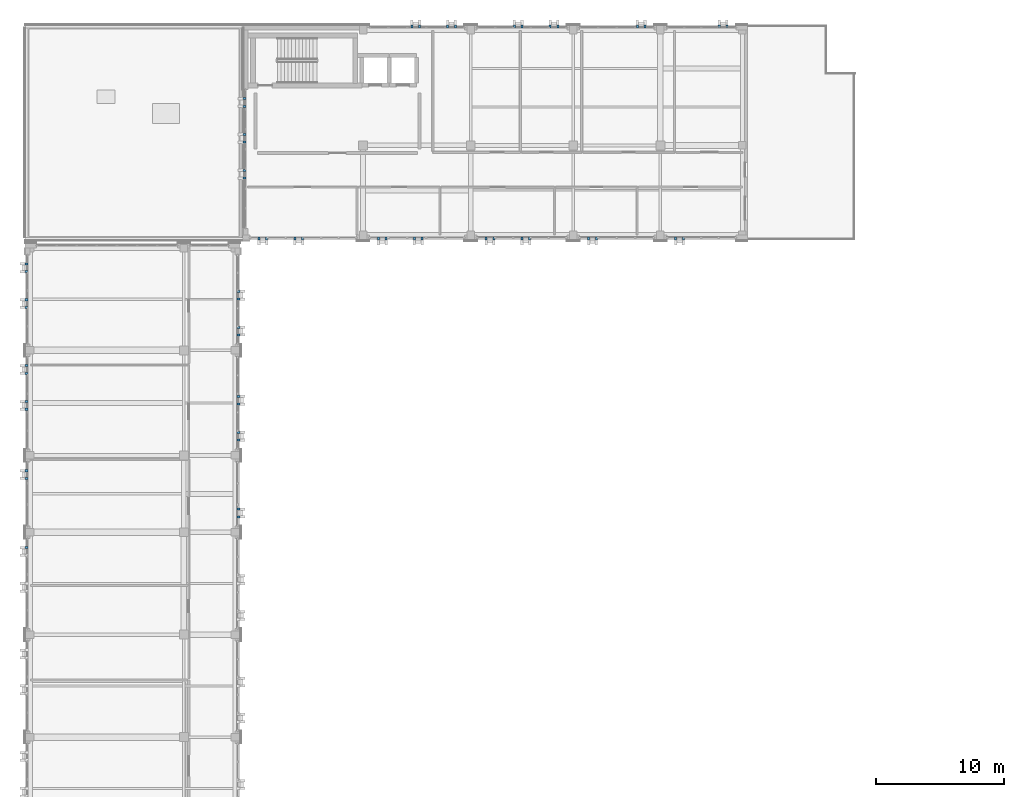
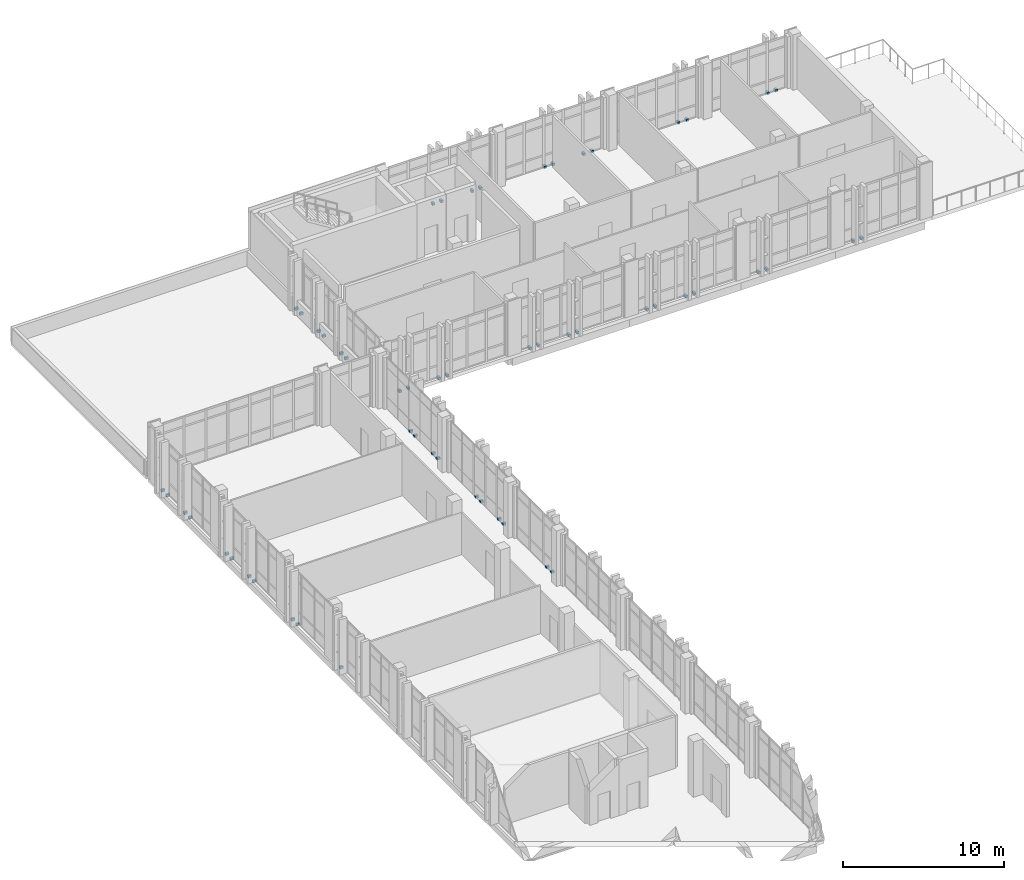
# One storey, part 76 of 90: 55 discrete accessories.
"""IFC4 building model written with IfcOpenShell, lengths in metres."""

from ifc_helpers import new_model, si_unit, direction, frame, origin, origin_2d, place, context, subcontext, project, spatial, rectangle, extrude, material, type_object, element, save


model = new_model("IFC4")

# Units and contexts
model_context = context("Model", 3, precision=1e-05, world=origin(), true_north=direction((0.0, 1.0)))
body_context = subcontext(model_context, "Body", "Model", "MODEL_VIEW")
ifc_project = project(units=[si_unit("LENGTHUNIT", "METRE"), si_unit("AREAUNIT", "SQUARE_METRE"), si_unit("VOLUMEUNIT", "CUBIC_METRE"), si_unit("PLANEANGLEUNIT", "RADIAN"), si_unit("MASSUNIT", "GRAM", prefix="KILO")], contexts=[model_context])

# Site, building, storey
site_placement = place(None, origin())
site = spatial("IfcSite", under=ifc_project, at=site_placement, CompositionType="ELEMENT")
building_placement = place(site_placement, origin())
building = spatial("IfcBuilding", under=site, at=building_placement, Name="Qalavern Law Courts", CompositionType="ELEMENT")
storey_placement = place(building_placement, frame((0.0, 0.0, 22.800048828125)))
storey = spatial("IfcBuildingStorey", under=building, at=storey_placement, Name="L05", CompositionType="ELEMENT", Elevation=22.800048828125)

# Discrete accessories
ifc_material = material(Name="Steel S355", Category="steel")
discrete_accessory_type = type_object("IfcDiscreteAccessoryType", Name="ENV-BRK-FIN", PredefinedType="BRACKET", material=ifc_material)
for number, where, z_axis, x_axis, name in (
    (1, (18.66748046875, 74.60009765625, -0.06982421875), (0.0, 0.0, 1.0), (1.0, 0.0, 0.0), "Stone blade anchor bracket 0425"),
    (2, (18.66748046875, 75.199951171875, -0.06982421875), (0.0, 0.0, 1.0), (1.0, 0.0, 0.0), "Stone blade anchor bracket 0426"),
    (3, (18.66748046875, 80.60009765625, -0.06982421875), (0.0, 0.0, 1.0), (1.0, 0.0, 0.0), "Stone blade anchor bracket 0427"),
    (4, (18.66748046875, 81.199951171875, -0.06982421875), (0.0, 0.0, 1.0), (1.0, 0.0, 0.0), "Stone blade anchor bracket 0428"),
    (5, (18.66748046875, 83.39990234375, -0.06982421875), (0.0, 0.0, 1.0), (1.0, 0.0, 0.0), "Stone blade anchor bracket 0429"),
    (6, (18.66748046875, 84.0, -0.06982421875), (0.0, 0.0, 1.0), (1.0, 0.0, 0.0), "Stone blade anchor bracket 0430"),
    (7, (18.66748046875, 88.800048828125, -0.06982421875), (0.0, 0.0, 1.0), (1.0, 0.0, 0.0), "Stone blade anchor bracket 0431"),
    (8, (18.66748046875, 89.39990234375, -0.06982421875), (0.0, 0.0, 1.0), (1.0, 0.0, 0.0), "Stone blade anchor bracket 0432"),
    (9, (18.66748046875, 91.60009765625, -0.06982421875), (0.0, 0.0, 1.0), (1.0, 0.0, 0.0), "Stone blade anchor bracket 0433"),
    (10, (18.66748046875, 92.199951171875, -0.06982421875), (0.0, 0.0, 1.0), (1.0, 0.0, 0.0), "Stone blade anchor bracket 0434"),
    (11, (2.132568359375, 94.35009765625, -0.06982421875), (0.0, 0.0, 1.0), (-1.0, 0.0, 0.0), "Stone blade anchor bracket 0435"),
    (12, (2.132568359375, 93.75, -0.06982421875), (0.0, 0.0, 1.0), (-1.0, 0.0, 0.0), "Stone blade anchor bracket 0436"),
    (13, (2.132568359375, 91.550048828125, -0.06982421875), (0.0, 0.0, 1.0), (-1.0, 0.0, 0.0), "Stone blade anchor bracket 0437"),
    (14, (2.132568359375, 90.949951171875, -0.06982421875), (0.0, 0.0, 1.0), (-1.0, 0.0, 0.0), "Stone blade anchor bracket 0438"),
    (15, (2.132568359375, 86.39990234375, -0.06982421875), (0.0, 0.0, 1.0), (-1.0, 0.0, 0.0), "Stone blade anchor bracket 0439"),
    (16, (2.132568359375, 85.800048828125, -0.06982421875), (0.0, 0.0, 1.0), (-1.0, 0.0, 0.0), "Stone blade anchor bracket 0440"),
    (17, (2.132568359375, 83.60009765625, -0.06982421875), (0.0, 0.0, 1.0), (-1.0, 0.0, 0.0), "Stone blade anchor bracket 0441"),
    (18, (2.132568359375, 83.0, -0.06982421875), (0.0, 0.0, 1.0), (-1.0, 0.0, 0.0), "Stone blade anchor bracket 0442"),
    (19, (2.132568359375, 78.199951171875, -0.06982421875), (0.0, 0.0, 1.0), (-1.0, 0.0, 0.0), "Stone blade anchor bracket 0443"),
    (20, (2.132568359375, 77.60009765625, -0.06982421875), (0.0, 0.0, 1.0), (-1.0, 0.0, 0.0), "Stone blade anchor bracket 0444"),
    (21, (2.132568359375, 72.199951171875, -0.06982421875), (0.0, 0.0, 1.0), (-1.0, 0.0, 0.0), "Stone blade anchor bracket 0445"),
    (22, (20.27001953125, 96.33251953125, -0.06982421875), (0.0, 0.0, 1.0), (0.0, -1.0, 0.0), "Stone blade anchor bracket 1121"),
    (23, (20.8701171875, 96.33251953125, -0.06982421875), (0.0, 0.0, 1.0), (0.0, -1.0, 0.0), "Stone blade anchor bracket 1122"),
    (24, (23.070068359375, 96.33251953125, -0.06982421875), (0.0, 0.0, 1.0), (0.0, -1.0, 0.0), "Stone blade anchor bracket 1123"),
    (25, (23.669921875, 96.33251953125, -0.06982421875), (0.0, 0.0, 1.0), (0.0, -1.0, 0.0), "Stone blade anchor bracket 1124"),
    (26, (29.60009765625, 96.33251953125, -0.06982421875), (0.0, 0.0, 1.0), (0.0, -1.0, 0.0), "Stone blade anchor bracket 1125"),
    (27, (30.199951171875, 96.33251953125, -0.06982421875), (0.0, 0.0, 1.0), (0.0, -1.0, 0.0), "Stone blade anchor bracket 1126"),
    (28, (32.39990234375, 96.33251953125, -0.06982421875), (0.0, 0.0, 1.0), (0.0, -1.0, 0.0), "Stone blade anchor bracket 1127"),
    (29, (33.0, 96.33251953125, -0.06982421875), (0.0, 0.0, 1.0), (0.0, -1.0, 0.0), "Stone blade anchor bracket 1128"),
    (30, (38.0, 96.33251953125, -0.06982421875), (0.0, 0.0, 1.0), (0.0, -1.0, 0.0), "Stone blade anchor bracket 1129"),
    (31, (38.60009765625, 96.33251953125, -0.06982421875), (0.0, 0.0, 1.0), (0.0, -1.0, 0.0), "Stone blade anchor bracket 1130"),
    (32, (40.800048828125, 96.33251953125, -0.06982421875), (0.0, 0.0, 1.0), (0.0, -1.0, 0.0), "Stone blade anchor bracket 1131"),
    (33, (41.39990234375, 96.33251953125, -0.06982421875), (0.0, 0.0, 1.0), (0.0, -1.0, 0.0), "Stone blade anchor bracket 1132"),
    (34, (46.0, 96.33251953125, -0.06982421875), (0.0, 0.0, 1.0), (0.0, -1.0, 0.0), "Stone blade anchor bracket 1133"),
    (35, (46.60009765625, 96.33251953125, -0.06982421875), (0.0, 0.0, 1.0), (0.0, -1.0, 0.0), "Stone blade anchor bracket 1134"),
    (36, (52.800048828125, 96.33251953125, -0.06982421875), (0.0, 0.0, 1.0), (0.0, -1.0, 0.0), "Stone blade anchor bracket 1135"),
    (37, (53.39990234375, 96.33251953125, -0.06982421875), (0.0, 0.0, 1.0), (0.0, -1.0, 0.0), "Stone blade anchor bracket 1136"),
    (38, (56.800048828125, 112.867431640625, -0.06982421875), (0.0, 0.0, 1.0), (0.0, 1.0, 0.0), "Stone blade anchor bracket 1137"),
    (39, (56.199951171875, 112.867431640625, -0.06982421875), (0.0, 0.0, 1.0), (0.0, 1.0, 0.0), "Stone blade anchor bracket 1138"),
    (40, (50.39990234375, 112.867431640625, -0.06982421875), (0.0, 0.0, 1.0), (0.0, 1.0, 0.0), "Stone blade anchor bracket 1139"),
    (41, (49.800048828125, 112.867431640625, -0.06982421875), (0.0, 0.0, 1.0), (0.0, 1.0, 0.0), "Stone blade anchor bracket 1140"),
    (42, (43.60009765625, 112.867431640625, -0.06982421875), (0.0, 0.0, 1.0), (0.0, 1.0, 0.0), "Stone blade anchor bracket 1141"),
    (43, (43.0, 112.867431640625, -0.06982421875), (0.0, 0.0, 1.0), (0.0, 1.0, 0.0), "Stone blade anchor bracket 1142"),
    (44, (40.800048828125, 112.867431640625, -0.06982421875), (0.0, 0.0, 1.0), (0.0, 1.0, 0.0), "Stone blade anchor bracket 1143"),
    (45, (40.199951171875, 112.867431640625, -0.06982421875), (0.0, 0.0, 1.0), (0.0, 1.0, 0.0), "Stone blade anchor bracket 1144"),
    (46, (35.60009765625, 112.867431640625, -0.06982421875), (0.0, 0.0, 1.0), (0.0, 1.0, 0.0), "Stone blade anchor bracket 1145"),
    (47, (35.0, 112.867431640625, -0.06982421875), (0.0, 0.0, 1.0), (0.0, 1.0, 0.0), "Stone blade anchor bracket 1146"),
    (48, (32.800048828125, 112.867431640625, -0.06982421875), (0.0, 0.0, 1.0), (0.0, 1.0, 0.0), "Stone blade anchor bracket 1147"),
    (49, (32.199951171875, 112.867431640625, -0.06982421875), (0.0, 0.0, 1.0), (0.0, 1.0, 0.0), "Stone blade anchor bracket 1148"),
    (50, (19.152587890625, 107.25, -0.06982421875), (0.0, 0.0, 1.0), (-1.0, 0.0, 0.0), "Stone blade anchor bracket 1149"),
    (51, (19.152587890625, 106.64990234375, -0.06982421875), (0.0, 0.0, 1.0), (-1.0, 0.0, 0.0), "Stone blade anchor bracket 1150"),
    (52, (19.152587890625, 104.449951171875, -0.06982421875), (0.0, 0.0, 1.0), (-1.0, 0.0, 0.0), "Stone blade anchor bracket 1151"),
    (53, (19.152587890625, 103.85009765625, -0.06982421875), (0.0, 0.0, 1.0), (-1.0, 0.0, 0.0), "Stone blade anchor bracket 1152"),
    (54, (19.152587890625, 101.64990234375, -0.06982421875), (0.0, 0.0, 1.0), (-1.0, 0.0, 0.0), "Stone blade anchor bracket 1153"),
    (55, (19.152587890625, 101.050048828125, -0.06982421875), (0.0, 0.0, 1.0), (-1.0, 0.0, 0.0), "Stone blade anchor bracket 1154"),
):
    element("IfcDiscreteAccessory", number, at=place(storey_placement, frame(where, z_axis=z_axis, x_axis=x_axis)), inside=storey, type_object=discrete_accessory_type, Name=name, PredefinedType="BRACKET", context=body_context, shape_type="SweptSolid", body=[
        extrude(rectangle(XDim=0.239990234375, YDim=0.159912109375, at=origin_2d()), origin(), (0.0, 0.0, 1.0), 0.179931640625),
    ])

save(model, "model.ifc")
